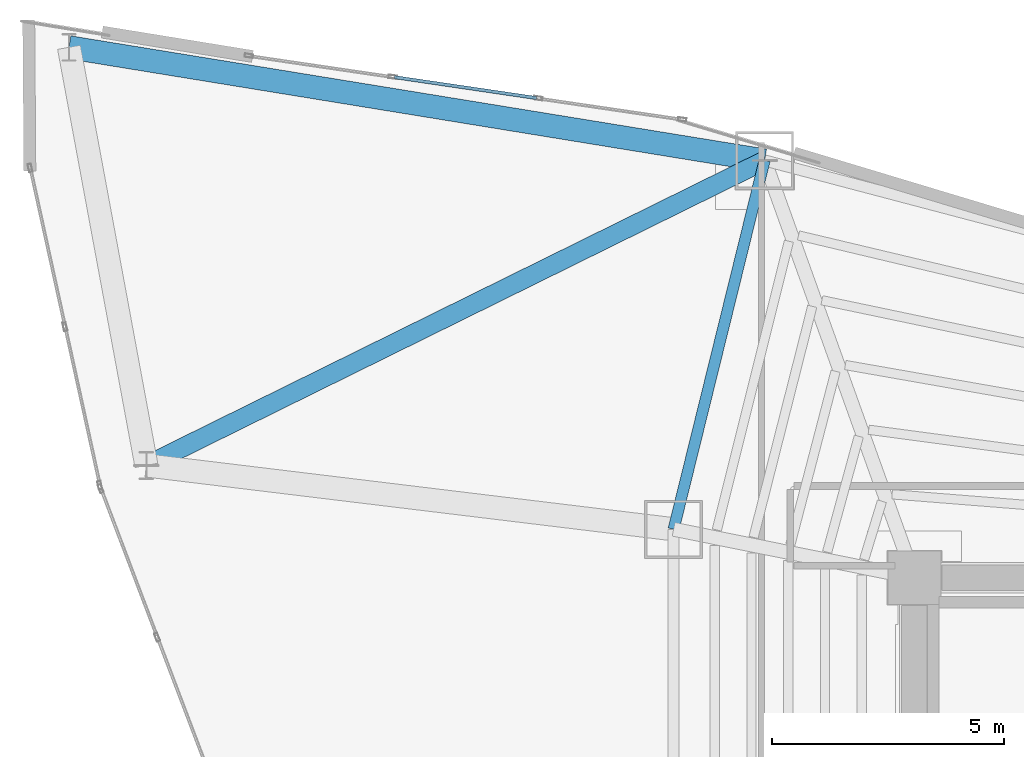
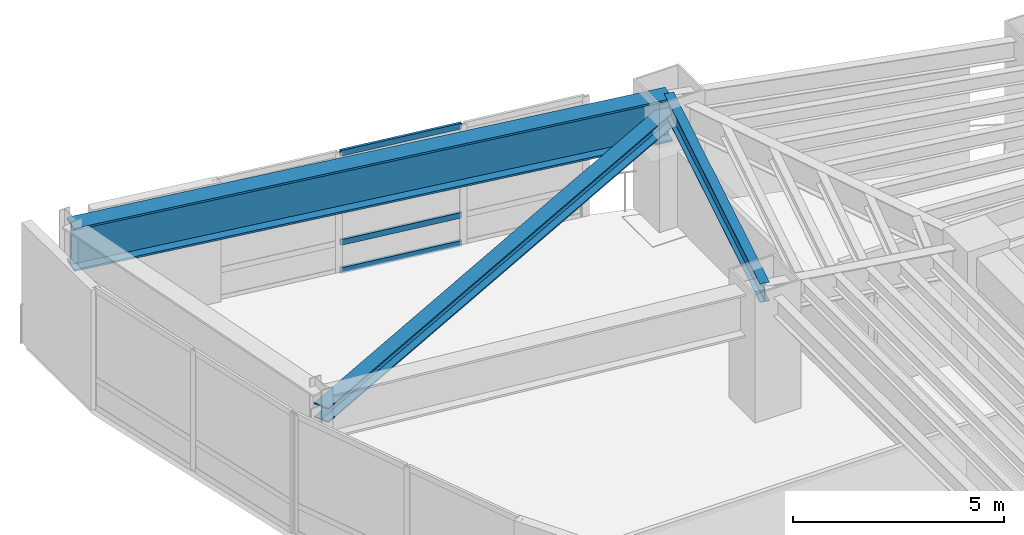
# One storey, part 11 of 23: 4 members, 2 beams, 1 element without a shape of its own.
"""IFC4 building model written with IfcOpenShell, lengths in metres."""

from ifc_helpers import new_model, si_unit, direction, frame, origin, origin_2d, place, context, subcontext, project, spatial, hollow_rectangle, i_section, extrude, material, layer, layer_set, material_profile, profile_set, type_object, element, aggregate, save


model = new_model("IFC4")

# Units and contexts
model_context = context("Model", 3, precision=1e-05, world=origin(), true_north=direction((0.0, 1.0)))
body_context = subcontext(model_context, "Body", "Model", "MODEL_VIEW")
ifc_project = project(units=[si_unit("LENGTHUNIT", "METRE"), si_unit("AREAUNIT", "SQUARE_METRE"), si_unit("VOLUMEUNIT", "CUBIC_METRE"), si_unit("PLANEANGLEUNIT", "RADIAN"), si_unit("MASSUNIT", "GRAM", prefix="KILO")], contexts=[model_context])

# Site, building, storey
site_placement = place(None, origin())
site = spatial("IfcSite", under=ifc_project, at=site_placement, CompositionType="ELEMENT")
building_placement = place(site_placement, origin())
building = spatial("IfcBuilding", under=site, at=building_placement, Name="Menara Vayukalpa", CompositionType="ELEMENT")
storey_placement = place(building_placement, frame((0.0, 0.0, 111.419921875)))
storey = spatial("IfcBuildingStorey", under=building, at=storey_placement, Name="L27", CompositionType="ELEMENT", Elevation=111.419921875)

# Beams
ifc_material_1 = material(Name="Steel S355", Category="steel")
ifc_material_profile_1 = material_profile(ifc_material_1, i_section(OverallWidth=0.239990234375, OverallDepth=0.550048828125, WebThickness=0.010986328125, FlangeThickness=0.01904296875, at=origin_2d()), Name="WF 550x240x11x19")
ifc_profile_set_1 = profile_set([ifc_material_profile_1], Name="Steel S355")
beam_type_1 = type_object("IfcBeamType", Name="BM-SP2", PredefinedType="SPANDREL", material=ifc_profile_set_1)
beam_1_placement = place(storey_placement, frame((14.569091796875, 35.79736328125, 3.195068359375), z_axis=(-0.239602739234, -0.970871014786, 0.0), x_axis=(0.970871014786, -0.239602739234, 0.0)))
element("IfcBeam", 1, at=beam_1_placement, inside=storey, type_object=beam_type_1, Name="L27 Perimeter Spandrel Beam SP04", PredefinedType="SPANDREL", context=body_context, shape_type="SweptSolid", body=[
    extrude(i_section(OverallWidth=0.239990234375, OverallDepth=0.550048828125, WebThickness=0.010986328125, FlangeThickness=0.01904296875, at=origin_2d()), origin(), (0.0, 0.0, 1.0), 8.190185546875),
])
ifc_material_2 = material(Name="Steel S460", Category="steel")
ifc_material_profile_2 = material_profile(ifc_material_2, i_section(OverallWidth=0.5, OverallDepth=1.25, WebThickness=0.028076171875, FlangeThickness=0.054931640625, at=origin_2d()), Name="WG 1250x500x28x55")
ifc_profile_set_2 = profile_set([ifc_material_profile_2], Name="Steel S460")
beam_type_2 = type_object("IfcBeamType", Name="BM-TG2", PredefinedType="BEAM", material=ifc_profile_set_2)
beam_2_placement = place(storey_placement, frame((14.569091796875, 35.79736328125, 2.844970703125), z_axis=(-0.987023560608, 0.160575498766, 0.0), x_axis=(-0.160575498766, -0.987023560608, 0.0)))
element("IfcBeam", 2, at=beam_2_placement, inside=storey, type_object=beam_type_2, Name="L27 SB2 Sky Bar Vierendeel Girder 04", PredefinedType="BEAM", context=body_context, shape_type="SweptSolid", body=[
    extrude(i_section(OverallWidth=0.5, OverallDepth=1.25, WebThickness=0.028076171875, FlangeThickness=0.054931640625, at=origin_2d()), origin(), (0.0, 0.0, 1.0), 15.195068359375),
])

# Curtain wall, members
ifc_material_3 = material(Name="Anodised Terracotta Aluminium Alloy 6063-T6", Category="masonry")
ifc_layer = layer(ifc_material_3, 0.179931640625)
ifc_layer_set = layer_set([ifc_layer], Name="Anodised Terracotta Aluminium Alloy 6063-T6")
curtain_wall_type = type_object("IfcCurtainWallType", Name="CW-CW4", PredefinedType="USERDEFINED", material=ifc_layer_set)
curtain_wall_placement = place(storey_placement, origin())
curtain_wall = element("IfcCurtainWall", 3, at=curtain_wall_placement, inside=storey, type_object=curtain_wall_type, Name="L27 Sky Bar Cantilever Glazed Curtain Wall CW4 07", ObjectType="UNITISED", PredefinedType="USERDEFINED")
ifc_material_4 = material(Name="Anodised Terracotta Aluminium Alloy 6063-T6", Category="masonry")
ifc_material_profile_3 = material_profile(ifc_material_4, hollow_rectangle(XDim=0.070068359375, YDim=0.1650390625, WallThickness=0.00390625, at=origin_2d()), Name="ALU 70x165x4")
ifc_profile_set_3 = profile_set([ifc_material_profile_3], Name="Anodised Terracotta Aluminium Alloy 6063-T6")
member_type_1 = type_object("IfcMemberType", Name="CWT-CW4", PredefinedType="USERDEFINED", material=ifc_profile_set_3)
member_1_placement = place(storey_placement, frame((9.653564453125, 37.142822265625, 0.03515625), z_axis=(-0.98935780051, 0.14550306722, 0.0), x_axis=(-0.14550306722, -0.98935780051, 0.0)))
member_1 = element("IfcMember", 4, at=member_1_placement, type_object=member_type_1, Name="CW4 transom 2.1", ObjectType="TRANSOM", PredefinedType="USERDEFINED", context=body_context, shape_type="SweptSolid", body=[
    extrude(hollow_rectangle(XDim=0.070068359375, YDim=0.1650390625, WallThickness=0.00390625, at=origin_2d()), origin(), (0.0, 0.0, 1.0), 3.097412109375),
])
member_2_placement = place(storey_placement, frame((9.653564453125, 37.142822265625, 0.85009765625), z_axis=(-0.98935780051, 0.14550306722, 0.0), x_axis=(-0.14550306722, -0.98935780051, 0.0)))
member_2 = element("IfcMember", 5, at=member_2_placement, type_object=member_type_1, Name="CW4 transom 2.2", ObjectType="TRANSOM", PredefinedType="USERDEFINED", context=body_context, shape_type="SweptSolid", body=[
    extrude(hollow_rectangle(XDim=0.070068359375, YDim=0.1650390625, WallThickness=0.00390625, at=origin_2d()), origin(), (0.0, 0.0, 1.0), 3.097412109375),
])
member_3_placement = place(storey_placement, frame((9.653564453125, 37.142822265625, 3.43505859375), z_axis=(-0.98935780051, 0.14550306722, 0.0), x_axis=(-0.14550306722, -0.98935780051, 0.0)))
member_3 = element("IfcMember", 6, at=member_3_placement, type_object=member_type_1, Name="CW4 transom 2.3", ObjectType="TRANSOM", PredefinedType="USERDEFINED", context=body_context, shape_type="SweptSolid", body=[
    extrude(hollow_rectangle(XDim=0.070068359375, YDim=0.1650390625, WallThickness=0.00390625, at=origin_2d()), origin(), (0.0, 0.0, 1.0), 3.097412109375),
])
aggregate(curtain_wall, [member_1, member_2, member_3])

# Member
ifc_material_5 = material(Name="Steel S460", Category="steel")
ifc_material_profile_4 = material_profile(ifc_material_5, i_section(OverallWidth=0.406982421875, OverallDepth=0.427978515625, WebThickness=0.02001953125, FlangeThickness=0.034912109375, at=origin_2d()), Name="H 428x407x20x35")
ifc_profile_set_4 = profile_set([ifc_material_profile_4], Name="Steel S460")
member_type_2 = type_object("IfcMemberType", Name="MEM-BR1", PredefinedType="BRACE", material=ifc_profile_set_4)
member_4_placement = place(storey_placement, frame((14.569091796875, 35.79736328125, 2.844970703125), z_axis=(-0.896845161213, -0.442344613179, 0.0), x_axis=(0.442344613179, -0.896845161213, 0.0)))
element("IfcMember", 7, at=member_4_placement, inside=storey, type_object=member_type_2, Name="L27 SB2 Sky Bar Diaphragm Truss Brace 04", PredefinedType="BRACE", context=body_context, shape_type="SweptSolid", body=[
    extrude(i_section(OverallWidth=0.406982421875, OverallDepth=0.427978515625, WebThickness=0.02001953125, FlangeThickness=0.034912109375, at=origin_2d()), origin(), (0.0, 0.0, 1.0), 14.8623046875),
])

save(model, "model.ifc")
